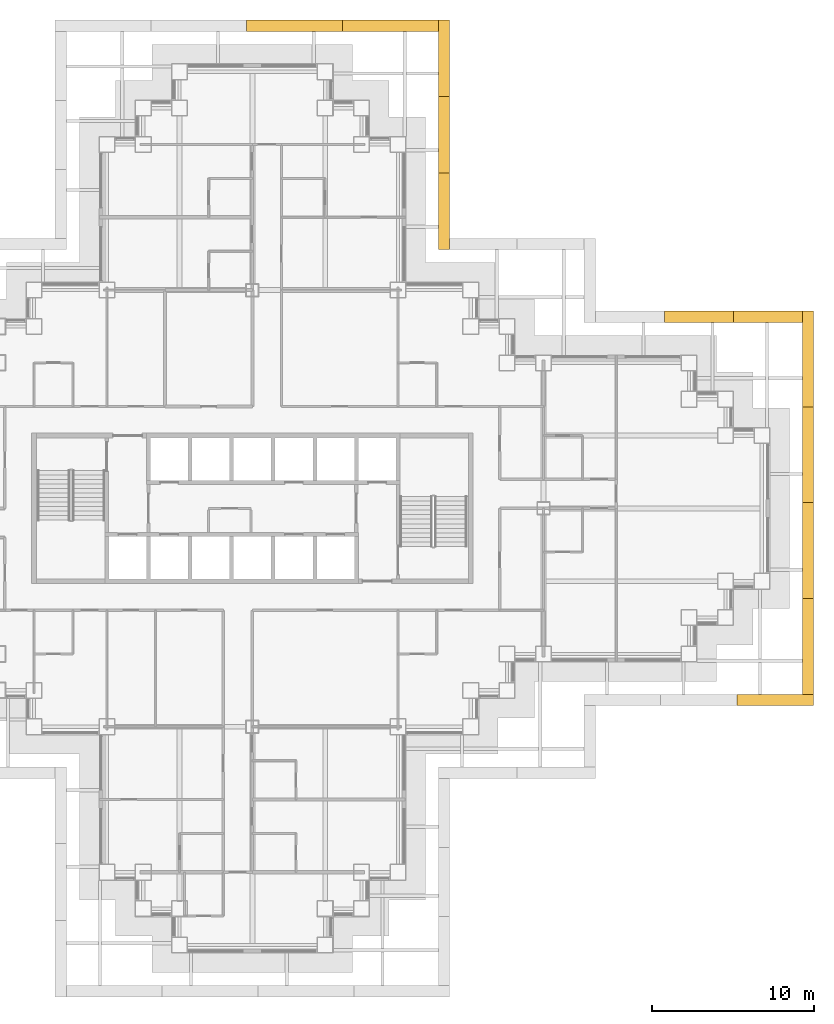
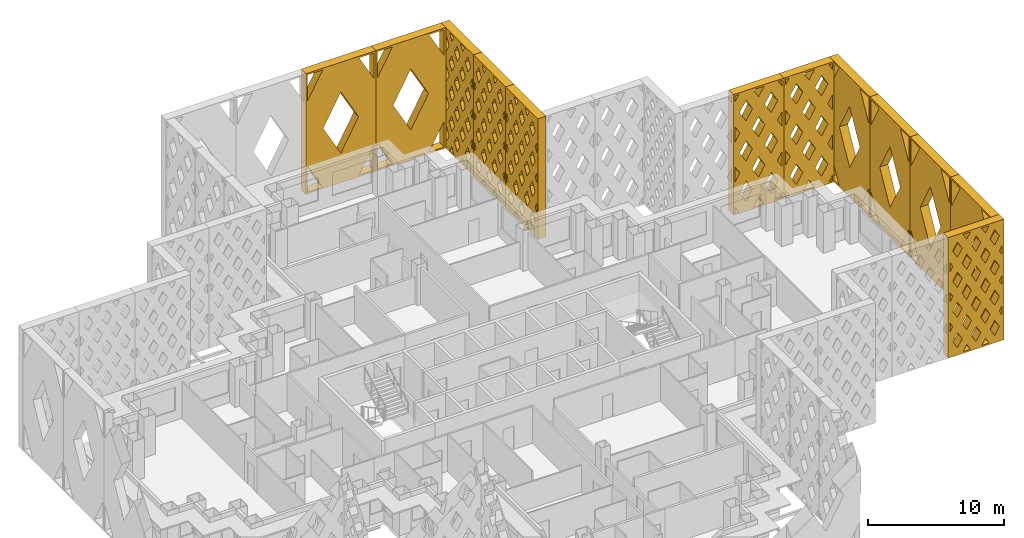
# One storey, part 19 of 19: 12 shading devices.
"""IFC4 building model written with IfcOpenShell, lengths in metres."""

from ifc_helpers import new_model, si_unit, direction, frame, origin, place, context, subcontext, project, spatial, polyline, outline, extrude, material, type_object, element, save


model = new_model("IFC4")

# Units and contexts
model_context = context("Model", 3, precision=1e-05, world=origin(), true_north=direction((0.0, 1.0)))
body_context = subcontext(model_context, "Body", "Model", "MODEL_VIEW")
ifc_project = project(units=[si_unit("LENGTHUNIT", "METRE"), si_unit("AREAUNIT", "SQUARE_METRE"), si_unit("VOLUMEUNIT", "CUBIC_METRE"), si_unit("PLANEANGLEUNIT", "RADIAN"), si_unit("MASSUNIT", "GRAM", prefix="KILO")], contexts=[model_context])

# Site, building, storey
site_placement = place(None, origin())
site = spatial("IfcSite", under=ifc_project, at=site_placement, CompositionType="ELEMENT")
building_placement = place(site_placement, origin())
building = spatial("IfcBuilding", under=site, at=building_placement, Name="Caravel Reach Hotel and Residences", CompositionType="ELEMENT")
storey_placement = place(building_placement, frame((0.0, 0.0, 63.60009765625)))
storey = spatial("IfcBuildingStorey", under=building, at=storey_placement, Name="L14", CompositionType="ELEMENT", Elevation=63.60009765625)

# Shading devices
ifc_material_1 = material(Name="Black powder-coated aluminium", Category="aluminium")
shading_device_type_1 = type_object("IfcShadingDeviceType", Name="Diamond lattice screen panel 4267 x 10800", PredefinedType="USERDEFINED", material=ifc_material_1)
shading_device_1_placement = place(storey_placement, frame((65.5, 38.5, 0.0), z_axis=(0.0, 1.0, 0.0), x_axis=(-1.0, 0.0, 0.0)))
element("IfcShadingDevice", 1, at=shading_device_1_placement, inside=storey, type_object=shading_device_type_1, Name="Lattice screen L14-L16 8.1", ObjectType="SCREEN", PredefinedType="USERDEFINED", context=body_context, shape_type="SweptSolid", body=[
    extrude(outline(polyline([(0.0, 0.0), (4.2666015625, 0.0), (4.2666015625, 10.800048828125), (0.0, 10.800048828125), (0.0, 0.0)]), holes=[polyline([(0.457275390625, 0.14990234375), (0.14990234375, 0.66845703125), (0.14990234375, 0.14990234375), (0.457275390625, 0.14990234375)]), polyline([(0.546142578125, 3.60009765625), (0.14990234375, 4.2685546875), (0.14990234375, 2.931396484375), (0.546142578125, 3.60009765625)]), polyline([(0.546142578125, 7.199951171875), (0.14990234375, 7.868408203125), (0.14990234375, 6.531494140625), (0.546142578125, 7.199951171875)]), polyline([(0.14990234375, 10.131591796875), (0.457275390625, 10.64990234375), (0.14990234375, 10.64990234375), (0.14990234375, 10.131591796875)]), polyline([(1.066650390625, 2.7216796875), (0.5205078125, 1.800048828125), (1.066650390625, 0.87841796875), (1.61279296875, 1.800048828125), (1.066650390625, 2.7216796875)]), polyline([(1.066650390625, 6.321533203125), (0.5205078125, 5.39990234375), (1.066650390625, 4.478271484375), (1.61279296875, 5.39990234375), (1.066650390625, 6.321533203125)]), polyline([(1.066650390625, 9.921630859375), (0.5205078125, 9.0), (1.066650390625, 8.078369140625), (1.61279296875, 9.0), (1.066650390625, 9.921630859375)]), polyline([(2.13330078125, 0.921630859375), (1.676025390625, 0.14990234375), (2.590576171875, 0.14990234375), (2.13330078125, 0.921630859375)]), polyline([(2.13330078125, 4.521728515625), (1.587158203125, 3.60009765625), (2.13330078125, 2.678466796875), (2.679443359375, 3.60009765625), (2.13330078125, 4.521728515625)]), polyline([(2.13330078125, 8.12158203125), (1.587158203125, 7.199951171875), (2.13330078125, 6.2783203125), (2.679443359375, 7.199951171875), (2.13330078125, 8.12158203125)]), polyline([(2.13330078125, 9.87841796875), (2.590576171875, 10.64990234375), (1.676025390625, 10.64990234375), (2.13330078125, 9.87841796875)]), polyline([(3.199951171875, 2.7216796875), (2.65380859375, 1.800048828125), (3.199951171875, 0.87841796875), (3.74609375, 1.800048828125), (3.199951171875, 2.7216796875)]), polyline([(3.199951171875, 6.321533203125), (2.65380859375, 5.39990234375), (3.199951171875, 4.478271484375), (3.74609375, 5.39990234375), (3.199951171875, 6.321533203125)]), polyline([(3.199951171875, 9.921630859375), (2.65380859375, 9.0), (3.199951171875, 8.078369140625), (3.74609375, 9.0), (3.199951171875, 9.921630859375)]), polyline([(4.11669921875, 0.66845703125), (3.809326171875, 0.14990234375), (4.11669921875, 0.14990234375), (4.11669921875, 0.66845703125)]), polyline([(3.720458984375, 3.60009765625), (4.11669921875, 2.931396484375), (4.11669921875, 4.2685546875), (3.720458984375, 3.60009765625)]), polyline([(3.720458984375, 7.199951171875), (4.11669921875, 6.531494140625), (4.11669921875, 7.868408203125), (3.720458984375, 7.199951171875)]), polyline([(3.809326171875, 10.64990234375), (4.11669921875, 10.131591796875), (4.11669921875, 10.64990234375), (3.809326171875, 10.64990234375)])]), origin(), (0.0, 0.0, 1.0), 0.699951171875),
])
shading_device_2_placement = place(storey_placement, frame((61.2333984375, 38.5, 0.0), z_axis=(0.0, 1.0, 0.0), x_axis=(-1.0, 0.0, 0.0)))
element("IfcShadingDevice", 2, at=shading_device_2_placement, inside=storey, type_object=shading_device_type_1, Name="Lattice screen L14-L16 8.2", ObjectType="SCREEN", PredefinedType="USERDEFINED", context=body_context, shape_type="SweptSolid", body=[
    extrude(outline(polyline([(0.0, 0.0), (4.2666015625, 0.0), (4.2666015625, 10.800048828125), (0.0, 10.800048828125), (0.0, 0.0)]), holes=[polyline([(0.457275390625, 0.14990234375), (0.14990234375, 0.66845703125), (0.14990234375, 0.14990234375), (0.457275390625, 0.14990234375)]), polyline([(0.546142578125, 3.60009765625), (0.14990234375, 4.2685546875), (0.14990234375, 2.931396484375), (0.546142578125, 3.60009765625)]), polyline([(0.546142578125, 7.199951171875), (0.14990234375, 7.868408203125), (0.14990234375, 6.531494140625), (0.546142578125, 7.199951171875)]), polyline([(0.14990234375, 10.131591796875), (0.457275390625, 10.64990234375), (0.14990234375, 10.64990234375), (0.14990234375, 10.131591796875)]), polyline([(1.066650390625, 2.7216796875), (0.5205078125, 1.800048828125), (1.066650390625, 0.87841796875), (1.61279296875, 1.800048828125), (1.066650390625, 2.7216796875)]), polyline([(1.066650390625, 6.321533203125), (0.5205078125, 5.39990234375), (1.066650390625, 4.478271484375), (1.61279296875, 5.39990234375), (1.066650390625, 6.321533203125)]), polyline([(1.066650390625, 9.921630859375), (0.5205078125, 9.0), (1.066650390625, 8.078369140625), (1.61279296875, 9.0), (1.066650390625, 9.921630859375)]), polyline([(2.13330078125, 0.921630859375), (1.676025390625, 0.14990234375), (2.590576171875, 0.14990234375), (2.13330078125, 0.921630859375)]), polyline([(2.13330078125, 4.521728515625), (1.587158203125, 3.60009765625), (2.13330078125, 2.678466796875), (2.679443359375, 3.60009765625), (2.13330078125, 4.521728515625)]), polyline([(2.13330078125, 8.12158203125), (1.587158203125, 7.199951171875), (2.13330078125, 6.2783203125), (2.679443359375, 7.199951171875), (2.13330078125, 8.12158203125)]), polyline([(2.13330078125, 9.87841796875), (2.590576171875, 10.64990234375), (1.676025390625, 10.64990234375), (2.13330078125, 9.87841796875)]), polyline([(3.199951171875, 2.7216796875), (2.65380859375, 1.800048828125), (3.199951171875, 0.87841796875), (3.74609375, 1.800048828125), (3.199951171875, 2.7216796875)]), polyline([(3.199951171875, 6.321533203125), (2.65380859375, 5.39990234375), (3.199951171875, 4.478271484375), (3.74609375, 5.39990234375), (3.199951171875, 6.321533203125)]), polyline([(3.199951171875, 9.921630859375), (2.65380859375, 9.0), (3.199951171875, 8.078369140625), (3.74609375, 9.0), (3.199951171875, 9.921630859375)]), polyline([(4.11669921875, 0.66845703125), (3.809326171875, 0.14990234375), (4.11669921875, 0.14990234375), (4.11669921875, 0.66845703125)]), polyline([(3.720458984375, 3.60009765625), (4.11669921875, 2.931396484375), (4.11669921875, 4.2685546875), (3.720458984375, 3.60009765625)]), polyline([(3.720458984375, 7.199951171875), (4.11669921875, 6.531494140625), (4.11669921875, 7.868408203125), (3.720458984375, 7.199951171875)]), polyline([(3.809326171875, 10.64990234375), (4.11669921875, 10.131591796875), (4.11669921875, 10.64990234375), (3.809326171875, 10.64990234375)])]), origin(), (0.0, 0.0, 1.0), 0.699951171875),
])
ifc_material_2 = material(Name="Black powder-coated aluminium", Category="aluminium")
shading_device_type_2 = type_object("IfcShadingDeviceType", Name="Diamond lattice screen panel 4733 x 10800", PredefinedType="USERDEFINED", material=ifc_material_2)
shading_device_3_placement = place(storey_placement, frame((61.466552734375, 15.5, 0.0), z_axis=(0.0, -1.0, 0.0), x_axis=(1.0, 0.0, 0.0)))
element("IfcShadingDevice", 3, at=shading_device_3_placement, inside=storey, type_object=shading_device_type_2, Name="Lattice screen L14-L16 6.3", ObjectType="SCREEN", PredefinedType="USERDEFINED", context=body_context, shape_type="SweptSolid", body=[
    extrude(outline(polyline([(0.0, 0.0), (4.7333984375, 0.0), (4.7333984375, 10.800048828125), (0.0, 10.800048828125), (0.0, 0.0)]), holes=[polyline([(0.4013671875, 2.699951171875), (0.14990234375, 3.130126953125), (0.14990234375, 2.269775390625), (0.4013671875, 2.699951171875)]), polyline([(0.4013671875, 5.39990234375), (0.14990234375, 5.830078125), (0.14990234375, 4.969970703125), (0.4013671875, 5.39990234375)]), polyline([(0.4013671875, 8.10009765625), (0.14990234375, 8.530029296875), (0.14990234375, 7.669921875), (0.4013671875, 8.10009765625)]), polyline([(0.788818359375, 2.036865234375), (0.387451171875, 1.35009765625), (0.788818359375, 0.6630859375), (1.190185546875, 1.35009765625), (0.788818359375, 2.036865234375)]), polyline([(0.788818359375, 4.73681640625), (0.387451171875, 4.050048828125), (0.788818359375, 3.36328125), (1.190185546875, 4.050048828125), (0.788818359375, 4.73681640625)]), polyline([(0.788818359375, 7.436767578125), (0.387451171875, 6.75), (0.788818359375, 6.063232421875), (1.190185546875, 6.75), (0.788818359375, 7.436767578125)]), polyline([(0.788818359375, 10.13671875), (0.387451171875, 9.449951171875), (0.788818359375, 8.76318359375), (1.190185546875, 9.449951171875), (0.788818359375, 10.13671875)]), polyline([(1.577880859375, 0.686767578125), (1.26416015625, 0.14990234375), (1.8916015625, 0.14990234375), (1.577880859375, 0.686767578125)]), polyline([(1.577880859375, 3.38671875), (1.176513671875, 2.699951171875), (1.577880859375, 2.01318359375), (1.979248046875, 2.699951171875), (1.577880859375, 3.38671875)]), polyline([(1.577880859375, 6.0869140625), (1.176513671875, 5.39990234375), (1.577880859375, 4.713134765625), (1.979248046875, 5.39990234375), (1.577880859375, 6.0869140625)]), polyline([(1.577880859375, 8.786865234375), (1.176513671875, 8.10009765625), (1.577880859375, 7.4130859375), (1.979248046875, 8.10009765625), (1.577880859375, 8.786865234375)]), polyline([(1.577880859375, 10.11328125), (1.8916015625, 10.64990234375), (1.26416015625, 10.64990234375), (1.577880859375, 10.11328125)]), polyline([(2.36669921875, 2.036865234375), (1.96533203125, 1.35009765625), (2.36669921875, 0.6630859375), (2.76806640625, 1.35009765625), (2.36669921875, 2.036865234375)]), polyline([(2.36669921875, 4.73681640625), (1.96533203125, 4.050048828125), (2.36669921875, 3.36328125), (2.76806640625, 4.050048828125), (2.36669921875, 4.73681640625)]), polyline([(2.36669921875, 7.436767578125), (1.96533203125, 6.75), (2.36669921875, 6.063232421875), (2.76806640625, 6.75), (2.36669921875, 7.436767578125)]), polyline([(2.36669921875, 10.13671875), (1.96533203125, 9.449951171875), (2.36669921875, 8.76318359375), (2.76806640625, 9.449951171875), (2.36669921875, 10.13671875)]), polyline([(3.155517578125, 0.686767578125), (2.841796875, 0.14990234375), (3.46923828125, 0.14990234375), (3.155517578125, 0.686767578125)]), polyline([(3.155517578125, 3.38671875), (2.754150390625, 2.699951171875), (3.155517578125, 2.01318359375), (3.556884765625, 2.699951171875), (3.155517578125, 3.38671875)]), polyline([(3.155517578125, 6.0869140625), (2.754150390625, 5.39990234375), (3.155517578125, 4.713134765625), (3.556884765625, 5.39990234375), (3.155517578125, 6.0869140625)]), polyline([(3.155517578125, 8.786865234375), (2.754150390625, 8.10009765625), (3.155517578125, 7.4130859375), (3.556884765625, 8.10009765625), (3.155517578125, 8.786865234375)]), polyline([(3.155517578125, 10.11328125), (3.46923828125, 10.64990234375), (2.841796875, 10.64990234375), (3.155517578125, 10.11328125)]), polyline([(3.9443359375, 2.036865234375), (3.54296875, 1.35009765625), (3.9443359375, 0.6630859375), (4.345703125, 1.35009765625), (3.9443359375, 2.036865234375)]), polyline([(3.9443359375, 4.73681640625), (3.54296875, 4.050048828125), (3.9443359375, 3.36328125), (4.345703125, 4.050048828125), (3.9443359375, 4.73681640625)]), polyline([(3.9443359375, 7.436767578125), (3.54296875, 6.75), (3.9443359375, 6.063232421875), (4.345703125, 6.75), (3.9443359375, 7.436767578125)]), polyline([(3.9443359375, 10.13671875), (3.54296875, 9.449951171875), (3.9443359375, 8.76318359375), (4.345703125, 9.449951171875), (3.9443359375, 10.13671875)]), polyline([(4.33203125, 2.699951171875), (4.583251953125, 2.269775390625), (4.583251953125, 3.130126953125), (4.33203125, 2.699951171875)]), polyline([(4.33203125, 5.39990234375), (4.583251953125, 4.969970703125), (4.583251953125, 5.830078125), (4.33203125, 5.39990234375)]), polyline([(4.33203125, 8.10009765625), (4.583251953125, 7.669921875), (4.583251953125, 8.530029296875), (4.33203125, 8.10009765625)])]), origin(), (0.0, 0.0, 1.0), 0.699951171875),
])
shading_device_4_placement = place(storey_placement, frame((43.0, 43.0, 0.0), z_axis=(1.0, 0.0, 0.0), x_axis=(0.0, 1.0, 0.0)))
element("IfcShadingDevice", 4, at=shading_device_4_placement, inside=storey, type_object=shading_device_type_2, Name="Lattice screen L14-L16 11.1", ObjectType="SCREEN", PredefinedType="USERDEFINED", context=body_context, shape_type="SweptSolid", body=[
    extrude(outline(polyline([(0.0, 0.0), (4.7333984375, 0.0), (4.7333984375, 10.800048828125), (0.0, 10.800048828125), (0.0, 0.0)]), holes=[polyline([(0.4013671875, 2.699951171875), (0.14990234375, 3.130126953125), (0.14990234375, 2.269775390625), (0.4013671875, 2.699951171875)]), polyline([(0.4013671875, 5.39990234375), (0.14990234375, 5.830078125), (0.14990234375, 4.969970703125), (0.4013671875, 5.39990234375)]), polyline([(0.4013671875, 8.10009765625), (0.14990234375, 8.530029296875), (0.14990234375, 7.669921875), (0.4013671875, 8.10009765625)]), polyline([(0.788818359375, 2.036865234375), (0.387451171875, 1.35009765625), (0.788818359375, 0.6630859375), (1.190185546875, 1.35009765625), (0.788818359375, 2.036865234375)]), polyline([(0.788818359375, 4.73681640625), (0.387451171875, 4.050048828125), (0.788818359375, 3.36328125), (1.190185546875, 4.050048828125), (0.788818359375, 4.73681640625)]), polyline([(0.788818359375, 7.436767578125), (0.387451171875, 6.75), (0.788818359375, 6.063232421875), (1.190185546875, 6.75), (0.788818359375, 7.436767578125)]), polyline([(0.788818359375, 10.13671875), (0.387451171875, 9.449951171875), (0.788818359375, 8.76318359375), (1.190185546875, 9.449951171875), (0.788818359375, 10.13671875)]), polyline([(1.577880859375, 0.686767578125), (1.26416015625, 0.14990234375), (1.8916015625, 0.14990234375), (1.577880859375, 0.686767578125)]), polyline([(1.577880859375, 3.38671875), (1.176513671875, 2.699951171875), (1.577880859375, 2.01318359375), (1.979248046875, 2.699951171875), (1.577880859375, 3.38671875)]), polyline([(1.577880859375, 6.0869140625), (1.176513671875, 5.39990234375), (1.577880859375, 4.713134765625), (1.979248046875, 5.39990234375), (1.577880859375, 6.0869140625)]), polyline([(1.577880859375, 8.786865234375), (1.176513671875, 8.10009765625), (1.577880859375, 7.4130859375), (1.979248046875, 8.10009765625), (1.577880859375, 8.786865234375)]), polyline([(1.577880859375, 10.11328125), (1.8916015625, 10.64990234375), (1.26416015625, 10.64990234375), (1.577880859375, 10.11328125)]), polyline([(2.36669921875, 2.036865234375), (1.96533203125, 1.35009765625), (2.36669921875, 0.6630859375), (2.76806640625, 1.35009765625), (2.36669921875, 2.036865234375)]), polyline([(2.36669921875, 4.73681640625), (1.96533203125, 4.050048828125), (2.36669921875, 3.36328125), (2.76806640625, 4.050048828125), (2.36669921875, 4.73681640625)]), polyline([(2.36669921875, 7.436767578125), (1.96533203125, 6.75), (2.36669921875, 6.063232421875), (2.76806640625, 6.75), (2.36669921875, 7.436767578125)]), polyline([(2.36669921875, 10.13671875), (1.96533203125, 9.449951171875), (2.36669921875, 8.76318359375), (2.76806640625, 9.449951171875), (2.36669921875, 10.13671875)]), polyline([(3.155517578125, 0.686767578125), (2.841796875, 0.14990234375), (3.46923828125, 0.14990234375), (3.155517578125, 0.686767578125)]), polyline([(3.155517578125, 3.38671875), (2.754150390625, 2.699951171875), (3.155517578125, 2.01318359375), (3.556884765625, 2.699951171875), (3.155517578125, 3.38671875)]), polyline([(3.155517578125, 6.0869140625), (2.754150390625, 5.39990234375), (3.155517578125, 4.713134765625), (3.556884765625, 5.39990234375), (3.155517578125, 6.0869140625)]), polyline([(3.155517578125, 8.786865234375), (2.754150390625, 8.10009765625), (3.155517578125, 7.4130859375), (3.556884765625, 8.10009765625), (3.155517578125, 8.786865234375)]), polyline([(3.155517578125, 10.11328125), (3.46923828125, 10.64990234375), (2.841796875, 10.64990234375), (3.155517578125, 10.11328125)]), polyline([(3.9443359375, 2.036865234375), (3.54296875, 1.35009765625), (3.9443359375, 0.6630859375), (4.345703125, 1.35009765625), (3.9443359375, 2.036865234375)]), polyline([(3.9443359375, 4.73681640625), (3.54296875, 4.050048828125), (3.9443359375, 3.36328125), (4.345703125, 4.050048828125), (3.9443359375, 4.73681640625)]), polyline([(3.9443359375, 7.436767578125), (3.54296875, 6.75), (3.9443359375, 6.063232421875), (4.345703125, 6.75), (3.9443359375, 7.436767578125)]), polyline([(3.9443359375, 10.13671875), (3.54296875, 9.449951171875), (3.9443359375, 8.76318359375), (4.345703125, 9.449951171875), (3.9443359375, 10.13671875)]), polyline([(4.33203125, 2.699951171875), (4.583251953125, 2.269775390625), (4.583251953125, 3.130126953125), (4.33203125, 2.699951171875)]), polyline([(4.33203125, 5.39990234375), (4.583251953125, 4.969970703125), (4.583251953125, 5.830078125), (4.33203125, 5.39990234375)]), polyline([(4.33203125, 8.10009765625), (4.583251953125, 7.669921875), (4.583251953125, 8.530029296875), (4.33203125, 8.10009765625)])]), origin(), (0.0, 0.0, 1.0), 0.699951171875),
])
shading_device_5_placement = place(storey_placement, frame((43.0, 47.7333984375, 0.0), z_axis=(1.0, 0.0, 0.0), x_axis=(0.0, 1.0, 0.0)))
element("IfcShadingDevice", 5, at=shading_device_5_placement, inside=storey, type_object=shading_device_type_2, Name="Lattice screen L14-L16 11.2", ObjectType="SCREEN", PredefinedType="USERDEFINED", context=body_context, shape_type="SweptSolid", body=[
    extrude(outline(polyline([(0.0, 0.0), (4.7333984375, 0.0), (4.7333984375, 10.800048828125), (0.0, 10.800048828125), (0.0, 0.0)]), holes=[polyline([(0.4013671875, 2.699951171875), (0.14990234375, 3.130126953125), (0.14990234375, 2.269775390625), (0.4013671875, 2.699951171875)]), polyline([(0.4013671875, 5.39990234375), (0.14990234375, 5.830078125), (0.14990234375, 4.969970703125), (0.4013671875, 5.39990234375)]), polyline([(0.4013671875, 8.10009765625), (0.14990234375, 8.530029296875), (0.14990234375, 7.669921875), (0.4013671875, 8.10009765625)]), polyline([(0.788818359375, 2.036865234375), (0.387451171875, 1.35009765625), (0.788818359375, 0.6630859375), (1.190185546875, 1.35009765625), (0.788818359375, 2.036865234375)]), polyline([(0.788818359375, 4.73681640625), (0.387451171875, 4.050048828125), (0.788818359375, 3.36328125), (1.190185546875, 4.050048828125), (0.788818359375, 4.73681640625)]), polyline([(0.788818359375, 7.436767578125), (0.387451171875, 6.75), (0.788818359375, 6.063232421875), (1.190185546875, 6.75), (0.788818359375, 7.436767578125)]), polyline([(0.788818359375, 10.13671875), (0.387451171875, 9.449951171875), (0.788818359375, 8.76318359375), (1.190185546875, 9.449951171875), (0.788818359375, 10.13671875)]), polyline([(1.577880859375, 0.686767578125), (1.26416015625, 0.14990234375), (1.8916015625, 0.14990234375), (1.577880859375, 0.686767578125)]), polyline([(1.577880859375, 3.38671875), (1.176513671875, 2.699951171875), (1.577880859375, 2.01318359375), (1.979248046875, 2.699951171875), (1.577880859375, 3.38671875)]), polyline([(1.577880859375, 6.0869140625), (1.176513671875, 5.39990234375), (1.577880859375, 4.713134765625), (1.979248046875, 5.39990234375), (1.577880859375, 6.0869140625)]), polyline([(1.577880859375, 8.786865234375), (1.176513671875, 8.10009765625), (1.577880859375, 7.4130859375), (1.979248046875, 8.10009765625), (1.577880859375, 8.786865234375)]), polyline([(1.577880859375, 10.11328125), (1.8916015625, 10.64990234375), (1.26416015625, 10.64990234375), (1.577880859375, 10.11328125)]), polyline([(2.36669921875, 2.036865234375), (1.96533203125, 1.35009765625), (2.36669921875, 0.6630859375), (2.76806640625, 1.35009765625), (2.36669921875, 2.036865234375)]), polyline([(2.36669921875, 4.73681640625), (1.96533203125, 4.050048828125), (2.36669921875, 3.36328125), (2.76806640625, 4.050048828125), (2.36669921875, 4.73681640625)]), polyline([(2.36669921875, 7.436767578125), (1.96533203125, 6.75), (2.36669921875, 6.063232421875), (2.76806640625, 6.75), (2.36669921875, 7.436767578125)]), polyline([(2.36669921875, 10.13671875), (1.96533203125, 9.449951171875), (2.36669921875, 8.76318359375), (2.76806640625, 9.449951171875), (2.36669921875, 10.13671875)]), polyline([(3.155517578125, 0.686767578125), (2.841796875, 0.14990234375), (3.46923828125, 0.14990234375), (3.155517578125, 0.686767578125)]), polyline([(3.155517578125, 3.38671875), (2.754150390625, 2.699951171875), (3.155517578125, 2.01318359375), (3.556884765625, 2.699951171875), (3.155517578125, 3.38671875)]), polyline([(3.155517578125, 6.0869140625), (2.754150390625, 5.39990234375), (3.155517578125, 4.713134765625), (3.556884765625, 5.39990234375), (3.155517578125, 6.0869140625)]), polyline([(3.155517578125, 8.786865234375), (2.754150390625, 8.10009765625), (3.155517578125, 7.4130859375), (3.556884765625, 8.10009765625), (3.155517578125, 8.786865234375)]), polyline([(3.155517578125, 10.11328125), (3.46923828125, 10.64990234375), (2.841796875, 10.64990234375), (3.155517578125, 10.11328125)]), polyline([(3.9443359375, 2.036865234375), (3.54296875, 1.35009765625), (3.9443359375, 0.6630859375), (4.345703125, 1.35009765625), (3.9443359375, 2.036865234375)]), polyline([(3.9443359375, 4.73681640625), (3.54296875, 4.050048828125), (3.9443359375, 3.36328125), (4.345703125, 4.050048828125), (3.9443359375, 4.73681640625)]), polyline([(3.9443359375, 7.436767578125), (3.54296875, 6.75), (3.9443359375, 6.063232421875), (4.345703125, 6.75), (3.9443359375, 7.436767578125)]), polyline([(3.9443359375, 10.13671875), (3.54296875, 9.449951171875), (3.9443359375, 8.76318359375), (4.345703125, 9.449951171875), (3.9443359375, 10.13671875)]), polyline([(4.33203125, 2.699951171875), (4.583251953125, 2.269775390625), (4.583251953125, 3.130126953125), (4.33203125, 2.699951171875)]), polyline([(4.33203125, 5.39990234375), (4.583251953125, 4.969970703125), (4.583251953125, 5.830078125), (4.33203125, 5.39990234375)]), polyline([(4.33203125, 8.10009765625), (4.583251953125, 7.669921875), (4.583251953125, 8.530029296875), (4.33203125, 8.10009765625)])]), origin(), (0.0, 0.0, 1.0), 0.699951171875),
])
shading_device_6_placement = place(storey_placement, frame((43.0, 52.466552734375, 0.0), z_axis=(1.0, 0.0, 0.0), x_axis=(0.0, 1.0, 0.0)))
element("IfcShadingDevice", 6, at=shading_device_6_placement, inside=storey, type_object=shading_device_type_2, Name="Lattice screen L14-L16 11.3", ObjectType="SCREEN", PredefinedType="USERDEFINED", context=body_context, shape_type="SweptSolid", body=[
    extrude(outline(polyline([(0.0, 0.0), (4.7333984375, 0.0), (4.7333984375, 10.800048828125), (0.0, 10.800048828125), (0.0, 0.0)]), holes=[polyline([(0.4013671875, 2.699951171875), (0.14990234375, 3.130126953125), (0.14990234375, 2.269775390625), (0.4013671875, 2.699951171875)]), polyline([(0.4013671875, 5.39990234375), (0.14990234375, 5.830078125), (0.14990234375, 4.969970703125), (0.4013671875, 5.39990234375)]), polyline([(0.4013671875, 8.10009765625), (0.14990234375, 8.530029296875), (0.14990234375, 7.669921875), (0.4013671875, 8.10009765625)]), polyline([(0.788818359375, 2.036865234375), (0.387451171875, 1.35009765625), (0.788818359375, 0.6630859375), (1.190185546875, 1.35009765625), (0.788818359375, 2.036865234375)]), polyline([(0.788818359375, 4.73681640625), (0.387451171875, 4.050048828125), (0.788818359375, 3.36328125), (1.190185546875, 4.050048828125), (0.788818359375, 4.73681640625)]), polyline([(0.788818359375, 7.436767578125), (0.387451171875, 6.75), (0.788818359375, 6.063232421875), (1.190185546875, 6.75), (0.788818359375, 7.436767578125)]), polyline([(0.788818359375, 10.13671875), (0.387451171875, 9.449951171875), (0.788818359375, 8.76318359375), (1.190185546875, 9.449951171875), (0.788818359375, 10.13671875)]), polyline([(1.577880859375, 0.686767578125), (1.26416015625, 0.14990234375), (1.8916015625, 0.14990234375), (1.577880859375, 0.686767578125)]), polyline([(1.577880859375, 3.38671875), (1.176513671875, 2.699951171875), (1.577880859375, 2.01318359375), (1.979248046875, 2.699951171875), (1.577880859375, 3.38671875)]), polyline([(1.577880859375, 6.0869140625), (1.176513671875, 5.39990234375), (1.577880859375, 4.713134765625), (1.979248046875, 5.39990234375), (1.577880859375, 6.0869140625)]), polyline([(1.577880859375, 8.786865234375), (1.176513671875, 8.10009765625), (1.577880859375, 7.4130859375), (1.979248046875, 8.10009765625), (1.577880859375, 8.786865234375)]), polyline([(1.577880859375, 10.11328125), (1.8916015625, 10.64990234375), (1.26416015625, 10.64990234375), (1.577880859375, 10.11328125)]), polyline([(2.36669921875, 2.036865234375), (1.96533203125, 1.35009765625), (2.36669921875, 0.6630859375), (2.76806640625, 1.35009765625), (2.36669921875, 2.036865234375)]), polyline([(2.36669921875, 4.73681640625), (1.96533203125, 4.050048828125), (2.36669921875, 3.36328125), (2.76806640625, 4.050048828125), (2.36669921875, 4.73681640625)]), polyline([(2.36669921875, 7.436767578125), (1.96533203125, 6.75), (2.36669921875, 6.063232421875), (2.76806640625, 6.75), (2.36669921875, 7.436767578125)]), polyline([(2.36669921875, 10.13671875), (1.96533203125, 9.449951171875), (2.36669921875, 8.76318359375), (2.76806640625, 9.449951171875), (2.36669921875, 10.13671875)]), polyline([(3.155517578125, 0.686767578125), (2.841796875, 0.14990234375), (3.46923828125, 0.14990234375), (3.155517578125, 0.686767578125)]), polyline([(3.155517578125, 3.38671875), (2.754150390625, 2.699951171875), (3.155517578125, 2.01318359375), (3.556884765625, 2.699951171875), (3.155517578125, 3.38671875)]), polyline([(3.155517578125, 6.0869140625), (2.754150390625, 5.39990234375), (3.155517578125, 4.713134765625), (3.556884765625, 5.39990234375), (3.155517578125, 6.0869140625)]), polyline([(3.155517578125, 8.786865234375), (2.754150390625, 8.10009765625), (3.155517578125, 7.4130859375), (3.556884765625, 8.10009765625), (3.155517578125, 8.786865234375)]), polyline([(3.155517578125, 10.11328125), (3.46923828125, 10.64990234375), (2.841796875, 10.64990234375), (3.155517578125, 10.11328125)]), polyline([(3.9443359375, 2.036865234375), (3.54296875, 1.35009765625), (3.9443359375, 0.6630859375), (4.345703125, 1.35009765625), (3.9443359375, 2.036865234375)]), polyline([(3.9443359375, 4.73681640625), (3.54296875, 4.050048828125), (3.9443359375, 3.36328125), (4.345703125, 4.050048828125), (3.9443359375, 4.73681640625)]), polyline([(3.9443359375, 7.436767578125), (3.54296875, 6.75), (3.9443359375, 6.063232421875), (4.345703125, 6.75), (3.9443359375, 7.436767578125)]), polyline([(3.9443359375, 10.13671875), (3.54296875, 9.449951171875), (3.9443359375, 8.76318359375), (4.345703125, 9.449951171875), (3.9443359375, 10.13671875)]), polyline([(4.33203125, 2.699951171875), (4.583251953125, 2.269775390625), (4.583251953125, 3.130126953125), (4.33203125, 2.699951171875)]), polyline([(4.33203125, 5.39990234375), (4.583251953125, 4.969970703125), (4.583251953125, 5.830078125), (4.33203125, 5.39990234375)]), polyline([(4.33203125, 8.10009765625), (4.583251953125, 7.669921875), (4.583251953125, 8.530029296875), (4.33203125, 8.10009765625)])]), origin(), (0.0, 0.0, 1.0), 0.699951171875),
])
ifc_material_3 = material(Name="Black powder-coated aluminium", Category="aluminium")
shading_device_type_3 = type_object("IfcShadingDeviceType", Name="Diamond lattice screen panel 5925 x 10800", PredefinedType="USERDEFINED", material=ifc_material_3)
for number, where, z_axis, x_axis, name in (
    (7, (65.5, 15.5, 0.0), (1.0, 0.0, 0.0), (0.0, 1.0, 0.0), "Lattice screen L14-L16 7.1"),
    (8, (65.5, 21.425048828125, 0.0), (1.0, 0.0, 0.0), (0.0, 1.0, 0.0), "Lattice screen L14-L16 7.2"),
    (9, (65.5, 27.35009765625, 0.0), (1.0, 0.0, 0.0), (0.0, 1.0, 0.0), "Lattice screen L14-L16 7.3"),
    (10, (65.5, 33.27490234375, 0.0), (1.0, 0.0, 0.0), (0.0, 1.0, 0.0), "Lattice screen L14-L16 7.4"),
    (11, (43.0, 56.5, 0.0), (0.0, 1.0, 0.0), (-1.0, 0.0, 0.0), "Lattice screen L14-L16 12.1"),
    (12, (37.074951171875, 56.5, 0.0), (0.0, 1.0, 0.0), (-1.0, 0.0, 0.0), "Lattice screen L14-L16 12.2"),
):
    element("IfcShadingDevice", number, at=place(storey_placement, frame(where, z_axis=z_axis, x_axis=x_axis)), inside=storey, type_object=shading_device_type_3, Name=name, ObjectType="SCREEN", PredefinedType="USERDEFINED", context=body_context, shape_type="SweptSolid", body=[
        extrude(outline(polyline([(0.0, 0.0), (5.925048828125, 0.0), (5.925048828125, 10.800048828125), (0.0, 10.800048828125), (0.0, 0.0)]), holes=[polyline([(1.41845703125, 0.14990234375), (0.14990234375, 2.462158203125), (0.14990234375, 0.14990234375), (1.41845703125, 0.14990234375)]), polyline([(0.14990234375, 8.337646484375), (1.41845703125, 10.64990234375), (0.14990234375, 10.64990234375), (0.14990234375, 8.337646484375)]), polyline([(2.96240234375, 8.1357421875), (1.461669921875, 5.39990234375), (2.96240234375, 2.664306640625), (4.46337890625, 5.39990234375), (2.96240234375, 8.1357421875)]), polyline([(5.77490234375, 2.462158203125), (4.506591796875, 0.14990234375), (5.77490234375, 0.14990234375), (5.77490234375, 2.462158203125)]), polyline([(4.506591796875, 10.64990234375), (5.77490234375, 8.337646484375), (5.77490234375, 10.64990234375), (4.506591796875, 10.64990234375)])]), origin(), (0.0, 0.0, 1.0), 0.699951171875),
    ])

save(model, "model.ifc")
